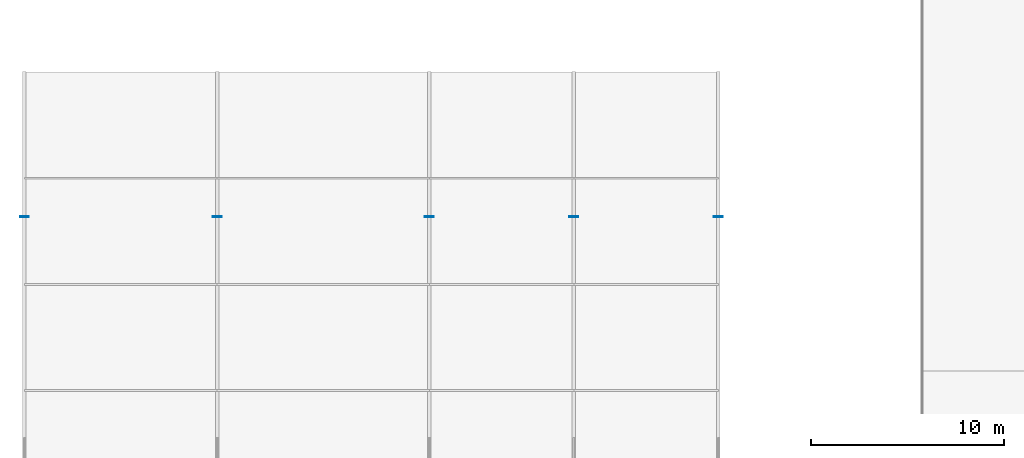
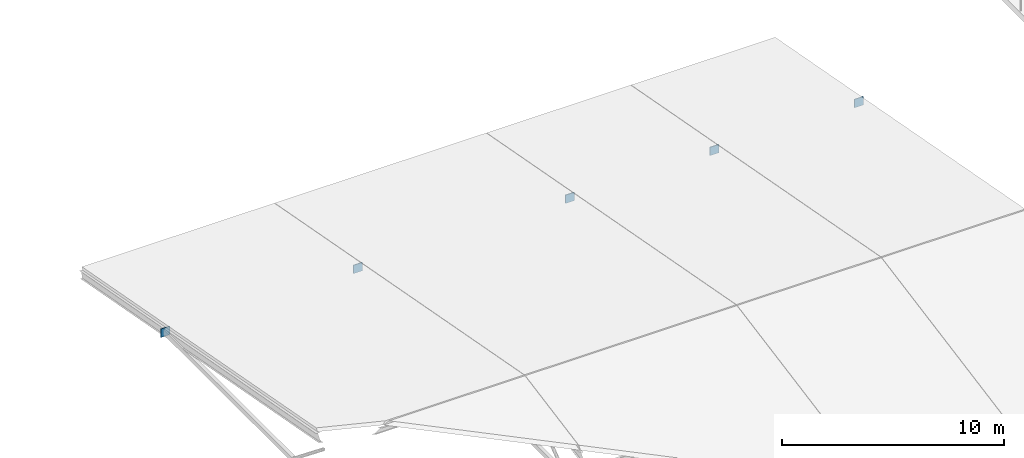
# One storey, part 142 of 168: 5 plates.
"""IFC4 building model written with IfcOpenShell, lengths in metres."""

from ifc_helpers import new_model, si_unit, direction, frame, origin, origin_2d, place, context, subcontext, project, spatial, rectangle, extrude, material, layer, layer_set, type_object, element, save


model = new_model("IFC4")

# Units and contexts
model_context = context("Model", 3, precision=1e-05, world=origin(), true_north=direction((0.0, 1.0)))
body_context = subcontext(model_context, "Body", "Model", "MODEL_VIEW")
ifc_project = project(units=[si_unit("LENGTHUNIT", "METRE"), si_unit("AREAUNIT", "SQUARE_METRE"), si_unit("VOLUMEUNIT", "CUBIC_METRE"), si_unit("PLANEANGLEUNIT", "RADIAN"), si_unit("MASSUNIT", "GRAM", prefix="KILO"), si_unit("THERMODYNAMICTEMPERATUREUNIT", "KELVIN"), si_unit("POWERUNIT", "WATT")], contexts=[model_context])

# Site, building, storey
site_placement = place(None, origin())
site = spatial("IfcSite", under=ifc_project, at=site_placement, CompositionType="ELEMENT")
building_placement = place(site_placement, origin())
building = spatial("IfcBuilding", under=site, at=building_placement, Name="Tepalcoro Natatorium and Aquatics Centre", CompositionType="ELEMENT")
storey_placement = place(building_placement, frame((0.0, 0.0, 10.199951171875)))
storey = spatial("IfcBuildingStorey", under=building, at=storey_placement, Name="L02", CompositionType="ELEMENT", Elevation=10.199951171875)

# Plates
ifc_material = material(Name="Plate Steel ASTM A572 Grade 50 (Fy 345 MPa)", Category="steel")
ifc_layer = layer(ifc_material, 0.0400390625)
ifc_layer_set = layer_set([ifc_layer], Name="Plate Steel ASTM A572 Grade 50 (Fy 345 MPa)")
plate_type = type_object("IfcPlateType", Name="PL_GUSSET_40", PredefinedType="USERDEFINED", material=ifc_layer_set)
for number, where, z_axis, x_axis, name in (
    (1, (0.0, 44.0, 0.763427734375), (0.0, 0.0, 1.0), (1.0, 0.0, 0.0), "Truss Node Gusset Plate V3_0"),
    (2, (10.0, 44.0, 0.763427734375), (0.0, 0.0, 1.0), (1.0, 0.0, 0.0), "Truss Node Gusset Plate V3_1"),
    (3, (21.0, 44.0, 0.763427734375), (0.0, 0.0, 1.0), (1.0, 0.0, 0.0), "Truss Node Gusset Plate V3_2"),
    (4, (28.5, 44.0, 0.763427734375), (0.0, 0.0, 1.0), (1.0, 0.0, 0.0), "Truss Node Gusset Plate V3_3"),
    (5, (36.0, 44.0, 0.763427734375), (0.0, 0.0, 1.0), (1.0, 0.0, 0.0), "Truss Node Gusset Plate V3_4"),
):
    element("IfcPlate", number, at=place(storey_placement, frame(where, z_axis=z_axis, x_axis=x_axis)), inside=storey, type_object=plate_type, Name=name, ObjectType="GUSSET PLATE", PredefinedType="USERDEFINED", context=body_context, shape_type="SweptSolid", body=[
        extrude(rectangle(XDim=0.4599609375, YDim=0.0400390625, at=origin_2d()), origin(), (0.0, 0.0, 1.0), 0.4599609375),
    ])

save(model, "model.ifc")
